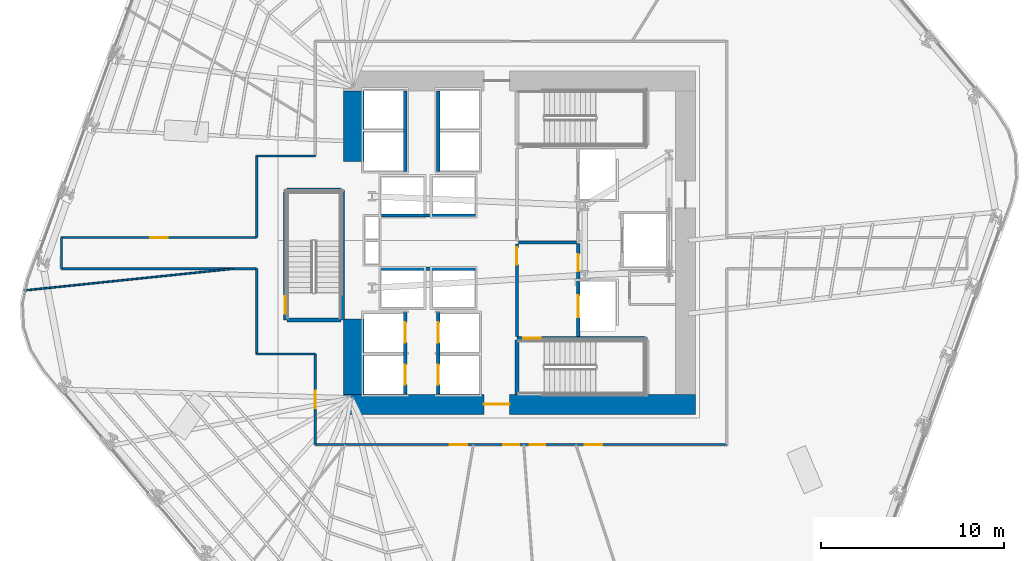
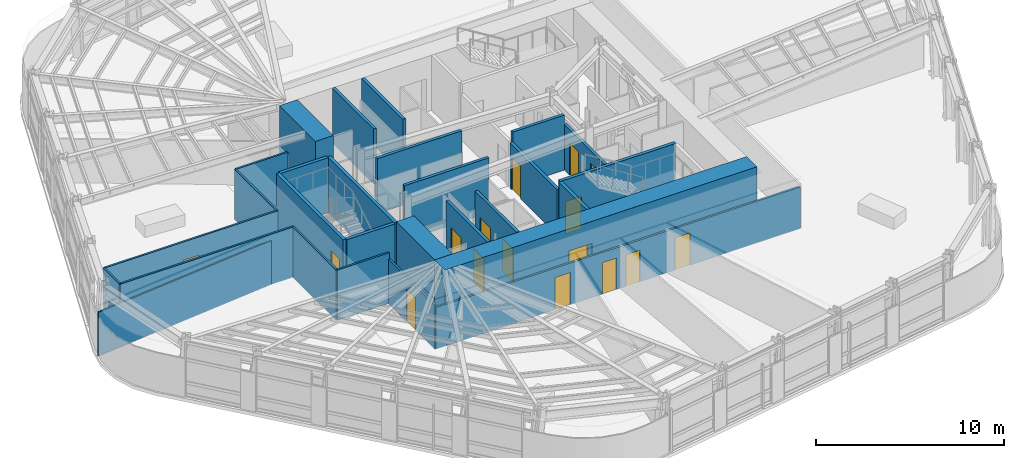
# One storey, part 8 of 16: 28 walls, 16 doors, 16 openings.
"""IFC4 building model written with IfcOpenShell, lengths in metres."""

from ifc_helpers import new_model, si_unit, direction, frame, frame_2d, origin, place, context, subcontext, project, spatial, rectangle, extrude, material, layer, layer_set, type_object, element, fill, save


model = new_model("IFC4")

# Units and contexts
model_context = context("Model", 3, precision=1e-05, world=origin(), true_north=direction((0.0, 1.0)))
body_context = subcontext(model_context, "Body", "Model", "MODEL_VIEW")
ifc_project = project(units=[si_unit("LENGTHUNIT", "METRE"), si_unit("AREAUNIT", "SQUARE_METRE"), si_unit("VOLUMEUNIT", "CUBIC_METRE"), si_unit("PLANEANGLEUNIT", "RADIAN"), si_unit("MASSUNIT", "GRAM", prefix="KILO")], contexts=[model_context])

# Site, building, storey
site_placement = place(None, origin())
site = spatial("IfcSite", under=ifc_project, at=site_placement, CompositionType="ELEMENT")
building_placement = place(site_placement, origin())
building = spatial("IfcBuilding", under=site, at=building_placement, Name="Valkerne Bourse Tower", CompositionType="ELEMENT")
storey_placement = place(building_placement, frame((0.0, 0.0, 65.800048828125)))
storey = spatial("IfcBuildingStorey", under=building, at=storey_placement, Name="L16", CompositionType="ELEMENT", Elevation=65.800048828125)

# Wall, opening, door
ifc_material_1 = material(Name="Concrete C70/85", Category="concrete")
ifc_layer_1 = layer(ifc_material_1, 1.10009765625)
ifc_layer_set_1 = layer_set([ifc_layer_1], Name="Concrete C70/85")
wall_type_1 = type_object("IfcWallType", Name="W-CORE-1100", PredefinedType="SHEAR", material=ifc_layer_set_1)
wall_1_placement = place(storey_placement, frame((37.199951171875, 18.050048828125, 0.0), z_axis=(0.0, 0.0, 1.0), x_axis=(1.0, 0.0, 0.0)))
wall_1 = element("IfcWall", 1, at=wall_1_placement, inside=storey, type_object=wall_type_1, Name="L16 Core Shear Wall SOUTH", PredefinedType="SHEAR", context=body_context, shape_type="SweptSolid", body=[
    extrude(rectangle(XDim=19.199951171875, YDim=1.10009765625, at=frame_2d((9.60009765625, 0.0))), origin(), (0.0, 0.0, 1.0), 3.579833984375),
])
opening_1_placement = place(wall_1_placement, frame((7.64990234375, 0.0, 0.0)))
opening_1 = element("IfcOpeningElement", 2, at=opening_1_placement, cuts=wall_1, Name="Opening D-PL-1400", PredefinedType="OPENING", context=body_context, shape_type="SweptSolid", body=[
    extrude(rectangle(XDim=1.39990234375, YDim=2.14990234375, at=frame_2d((0.699951171875, 1.074951171875))), frame((0.0, 0.56005859375, 0.0), z_axis=(0.0, -1.0, 0.0), x_axis=(1.0, 0.0, 0.0)), (0.0, 0.0, 1.0), 1.1201171875),
])
ifc_material_2 = material(Name="Galvanised Painted Steel", Category="steel")
door_type_1 = type_object("IfcDoorType", Name="DR-PLT-1400", OperationType="DOUBLE_DOOR_SINGLE_SWING", PredefinedType="DOOR", material=ifc_material_2)
door_1_placement = place(opening_1_placement, origin())
door_1 = element("IfcDoor", 3, at=door_1_placement, inside=storey, type_object=door_type_1, Name="L16 South Passenger Lift Hall Fire Door", OperationType="DOUBLE_DOOR_SINGLE_SWING", OverallHeight=2.14990234375, OverallWidth=1.39990234375, PredefinedType="DOOR", context=body_context, shape_type="SweptSolid", body=[
    extrude(rectangle(XDim=1.39990234375, YDim=2.14990234375, at=frame_2d((0.699951171875, 1.074951171875))), frame((0.0, 0.02490234375, 0.0), z_axis=(0.0, -1.0, 0.0), x_axis=(1.0, 0.0, 0.0)), (0.0, 0.0, 1.0), 0.050048828125),
])
fill(opening_1, door_1)

# Walls
wall_2_placement = place(storey_placement, frame((37.75, 18.60009765625, 0.0), z_axis=(0.0, 0.0, 1.0), x_axis=(0.0, 1.0, 0.0)))
element("IfcWall", 4, at=wall_2_placement, inside=storey, type_object=wall_type_1, Name="L16 Core Shear Wall WEST-S", PredefinedType="SHEAR", context=body_context, shape_type="SweptSolid", body=[
    extrude(rectangle(XDim=4.099853515625, YDim=1.10009765625, at=frame_2d((2.0498046875, 0.0))), origin(), (0.0, 0.0, 1.0), 3.579833984375),
])
wall_3_placement = place(storey_placement, frame((37.75, 31.300048828125, 0.0), z_axis=(0.0, 0.0, 1.0), x_axis=(0.0, 1.0, 0.0)))
element("IfcWall", 5, at=wall_3_placement, inside=storey, type_object=wall_type_1, Name="L16 Core Shear Wall WEST-N", PredefinedType="SHEAR", context=body_context, shape_type="SweptSolid", body=[
    extrude(rectangle(XDim=3.849853515625, YDim=1.10009765625, at=frame_2d((1.9248046875, 0.0))), origin(), (0.0, 0.0, 1.0), 3.579833984375),
])

# Wall, openings, doors
ifc_material_3 = material(Name="Gypsum Board Steel-Stud Partition", Category="steel")
ifc_layer_2 = layer(ifc_material_3, 0.117919921875)
ifc_layer_set_2 = layer_set([ifc_layer_2], Name="Gypsum Board Steel-Stud Partition")
wall_type_2 = type_object("IfcWallType", Name="W-CORR-140", PredefinedType="PARTITIONING", material=ifc_layer_set_2)
wall_4_placement = place(storey_placement, frame((58.10009765625, 15.85009765625, 0.0), z_axis=(0.0, 0.0, 1.0), x_axis=(-1.0, 0.0, 0.0)))
wall_4 = element("IfcWall", 6, at=wall_4_placement, inside=storey, type_object=wall_type_2, Name="L16 Corridor Enclosure Wall", PredefinedType="PARTITIONING", context=body_context, shape_type="SweptSolid", body=[
    extrude(rectangle(XDim=22.4501953125, YDim=0.117919921875, at=frame_2d((11.22509765625, 0.0))), origin(), (0.0, 0.0, 1.0), 2.71142578125),
])
opening_2_placement = place(wall_4_placement, frame((9.89501953125, 0.0, 0.0)))
opening_2 = element("IfcOpeningElement", 7, at=opening_2_placement, cuts=wall_4, Name="Opening D-WC-900", PredefinedType="OPENING", context=body_context, shape_type="SweptSolid", body=[
    extrude(rectangle(XDim=0.860107421875, YDim=2.050048828125, at=frame_2d((0.43017578125, 1.02490234375))), frame((0.0, 0.06884765625, 0.0), z_axis=(0.0, -1.0, 0.0), x_axis=(1.0, 0.0, 0.0)), (0.0, 0.0, 1.0), 0.137939453125),
])
opening_3_placement = place(wall_4_placement, frame((11.3349609375, 0.0, 0.0)))
opening_3 = element("IfcOpeningElement", 8, at=opening_3_placement, cuts=wall_4, Name="Opening D-WC-900", PredefinedType="OPENING", context=body_context, shape_type="SweptSolid", body=[
    extrude(rectangle(XDim=0.860107421875, YDim=2.050048828125, at=frame_2d((0.43017578125, 1.02490234375))), frame((0.0, 0.06884765625, 0.0), z_axis=(0.0, -1.0, 0.0), x_axis=(1.0, 0.0, 0.0)), (0.0, 0.0, 1.0), 0.137939453125),
])
opening_4_placement = place(wall_4_placement, frame((14.169921875, 0.0, 0.0)))
opening_4 = element("IfcOpeningElement", 9, at=opening_4_placement, cuts=wall_4, Name="Opening D-OF-950", PredefinedType="OPENING", context=body_context, shape_type="SweptSolid", body=[
    extrude(rectangle(XDim=0.949951171875, YDim=2.10009765625, at=frame_2d((0.47509765625, 1.050048828125))), frame((0.0, 0.06884765625, 0.0), z_axis=(0.0, -1.0, 0.0), x_axis=(1.0, 0.0, 0.0)), (0.0, 0.0, 1.0), 0.137939453125),
])
opening_5_placement = place(wall_4_placement, frame((6.7900390625, 0.0, 0.0)))
opening_5 = element("IfcOpeningElement", 10, at=opening_5_placement, cuts=wall_4, Name="Opening D-OF-950", PredefinedType="OPENING", context=body_context, shape_type="SweptSolid", body=[
    extrude(rectangle(XDim=0.949951171875, YDim=2.10009765625, at=frame_2d((0.47509765625, 1.050048828125))), frame((0.0, 0.06884765625, 0.0), z_axis=(0.0, -1.0, 0.0), x_axis=(1.0, 0.0, 0.0)), (0.0, 0.0, 1.0), 0.137939453125),
])
ifc_material_4 = material(Name="Architectural White Oak Timber", Category="wood")
door_type_2 = type_object("IfcDoorType", Name="DR-OFF-950", OperationType="NOTDEFINED", PredefinedType="DOOR", material=ifc_material_4)
door_2_placement = place(opening_4_placement, origin())
door_2 = element("IfcDoor", 11, at=door_2_placement, inside=storey, type_object=door_type_2, Name="L16 L16 Commodities Market Showroom 4 Door", OperationType="SINGLE_SWING_LEFT", OverallHeight=2.10009765625, OverallWidth=0.949951171875, PredefinedType="DOOR", context=body_context, shape_type="SweptSolid", body=[
    extrude(rectangle(XDim=0.949951171875, YDim=2.10009765625, at=frame_2d((0.47509765625, 1.050048828125))), frame((0.0, 0.02490234375, 0.0), z_axis=(0.0, -1.0, 0.0), x_axis=(1.0, 0.0, 0.0)), (0.0, 0.0, 1.0), 0.050048828125),
])
fill(opening_4, door_2)
door_3_placement = place(opening_5_placement, origin())
door_3 = element("IfcDoor", 12, at=door_3_placement, inside=storey, type_object=door_type_2, Name="L16 L16 Member Collaboration Club Salon 7 Door", OperationType="SINGLE_SWING_LEFT", OverallHeight=2.10009765625, OverallWidth=0.949951171875, PredefinedType="DOOR", context=body_context, shape_type="SweptSolid", body=[
    extrude(rectangle(XDim=0.949951171875, YDim=2.10009765625, at=frame_2d((0.47509765625, 1.050048828125))), frame((0.0, 0.02490234375, 0.0), z_axis=(0.0, -1.0, 0.0), x_axis=(1.0, 0.0, 0.0)), (0.0, 0.0, 1.0), 0.050048828125),
])
fill(opening_5, door_3)
door_type_3 = type_object("IfcDoorType", Name="DR-WC-900", OperationType="NOTDEFINED", PredefinedType="DOOR", material=ifc_material_4)
door_4_placement = place(opening_2_placement, origin())
door_4 = element("IfcDoor", 13, at=door_4_placement, inside=storey, type_object=door_type_3, Name="L16 L16 Men Bathroom WC 1 Door", OperationType="SINGLE_SWING_RIGHT", OverallHeight=2.050048828125, OverallWidth=0.860107421875, PredefinedType="DOOR", context=body_context, shape_type="SweptSolid", body=[
    extrude(rectangle(XDim=0.860107421875, YDim=2.050048828125, at=frame_2d((0.43017578125, 1.02490234375))), frame((0.0, 0.02490234375, 0.0), z_axis=(0.0, -1.0, 0.0), x_axis=(1.0, 0.0, 0.0)), (0.0, 0.0, 1.0), 0.050048828125),
])
fill(opening_2, door_4)
door_5_placement = place(opening_3_placement, origin())
door_5 = element("IfcDoor", 14, at=door_5_placement, inside=storey, type_object=door_type_3, Name="L16 L16 Women Restroom & Shower WC 2 Door", OperationType="SINGLE_SWING_LEFT", OverallHeight=2.050048828125, OverallWidth=0.860107421875, PredefinedType="DOOR", context=body_context, shape_type="SweptSolid", body=[
    extrude(rectangle(XDim=0.860107421875, YDim=2.050048828125, at=frame_2d((0.43017578125, 1.02490234375))), frame((0.0, 0.02490234375, 0.0), z_axis=(0.0, -1.0, 0.0), x_axis=(1.0, 0.0, 0.0)), (0.0, 0.0, 1.0), 0.050048828125),
])
fill(opening_3, door_5)

# Wall, opening, door
wall_5_placement = place(storey_placement, frame((35.64990234375, 15.85009765625, 0.0), z_axis=(0.0, 0.0, 1.0), x_axis=(0.0, 1.0, 0.0)))
wall_5 = element("IfcWall", 15, at=wall_5_placement, inside=storey, type_object=wall_type_2, Name="L16 Corridor Enclosure Wall", PredefinedType="PARTITIONING", context=body_context, shape_type="SweptSolid", body=[
    extrude(rectangle(XDim=4.949951171875, YDim=0.117919921875, at=frame_2d((2.47509765625, 0.0))), origin(), (0.0, 0.0, 1.0), 2.87646484375),
])
opening_6_placement = place(wall_5_placement, frame((2.0, 0.0, 0.0)))
opening_6 = element("IfcOpeningElement", 16, at=opening_6_placement, cuts=wall_5, Name="Opening D-OF-950", PredefinedType="OPENING", context=body_context, shape_type="SweptSolid", body=[
    extrude(rectangle(XDim=0.949951171875, YDim=2.10009765625, at=frame_2d((0.47509765625, 1.050048828125))), frame((0.0, 0.06884765625, 0.0), z_axis=(0.0, -1.0, 0.0), x_axis=(1.0, 0.0, 0.0)), (0.0, 0.0, 1.0), 0.137939453125),
])
door_6_placement = place(opening_6_placement, origin())
door_6 = element("IfcDoor", 17, at=door_6_placement, inside=storey, type_object=door_type_2, Name="L16 L16 VIP Client Concierge Reception 5 Door", OperationType="SINGLE_SWING_LEFT", OverallHeight=2.10009765625, OverallWidth=0.949951171875, PredefinedType="DOOR", context=body_context, shape_type="SweptSolid", body=[
    extrude(rectangle(XDim=0.949951171875, YDim=2.10009765625, at=frame_2d((0.47509765625, 1.050048828125))), frame((0.0, 0.02490234375, 0.0), z_axis=(0.0, -1.0, 0.0), x_axis=(1.0, 0.0, 0.0)), (0.0, 0.0, 1.0), 0.050048828125),
])
fill(opening_6, door_6)

# Walls
wall_6_placement = place(storey_placement, frame((35.64990234375, 20.800048828125, 0.0), z_axis=(0.0, 0.0, 1.0), x_axis=(-1.0, 0.0, 0.0)))
element("IfcWall", 18, at=wall_6_placement, inside=storey, type_object=wall_type_2, Name="L16 Corridor Enclosure Wall", PredefinedType="PARTITIONING", context=body_context, shape_type="SweptSolid", body=[
    extrude(rectangle(XDim=3.199951171875, YDim=0.117919921875, at=frame_2d((1.60009765625, 0.0))), origin(), (0.0, 0.0, 1.0), 3.280029296875),
])
wall_7_placement = place(storey_placement, frame((32.449951171875, 20.800048828125, 0.0), z_axis=(0.0, 0.0, 1.0), x_axis=(0.0, 1.0, 0.0)))
element("IfcWall", 19, at=wall_7_placement, inside=storey, type_object=wall_type_2, Name="L16 Corridor Enclosure Wall", PredefinedType="PARTITIONING", context=body_context, shape_type="SweptSolid", body=[
    extrude(rectangle(XDim=4.64990234375, YDim=0.117919921875, at=frame_2d((2.324951171875, 0.0))), origin(), (0.0, 0.0, 1.0), 3.280029296875),
])
wall_8_placement = place(storey_placement, frame((32.449951171875, 25.449951171875, 0.0), z_axis=(0.0, 0.0, 1.0), x_axis=(-1.0, 0.0, 0.0)))
element("IfcWall", 20, at=wall_8_placement, inside=storey, type_object=wall_type_2, Name="L16 Corridor Enclosure Wall", PredefinedType="PARTITIONING", context=body_context, shape_type="SweptSolid", body=[
    extrude(rectangle(XDim=10.64990234375, YDim=0.117919921875, at=frame_2d((5.324951171875, 0.0))), origin(), (0.0, 0.0, 1.0), 3.280029296875),
])
wall_9_placement = place(storey_placement, frame((21.800048828125, 25.449951171875, 0.0), z_axis=(0.0, 0.0, 1.0), x_axis=(0.0, 1.0, 0.0)))
element("IfcWall", 21, at=wall_9_placement, inside=storey, type_object=wall_type_2, Name="L16 Corridor Enclosure Wall", PredefinedType="PARTITIONING", context=body_context, shape_type="SweptSolid", body=[
    extrude(rectangle(XDim=1.699951171875, YDim=0.117919921875, at=frame_2d((0.85009765625, 0.0))), origin(), (0.0, 0.0, 1.0), 3.280029296875),
])

# Wall, opening, door
wall_10_placement = place(storey_placement, frame((21.800048828125, 27.14990234375, 0.0), z_axis=(0.0, 0.0, 1.0), x_axis=(1.0, 0.0, 0.0)))
wall_10 = element("IfcWall", 22, at=wall_10_placement, inside=storey, type_object=wall_type_2, Name="L16 Corridor Enclosure Wall", PredefinedType="PARTITIONING", context=body_context, shape_type="SweptSolid", body=[
    extrude(rectangle(XDim=10.64990234375, YDim=0.117919921875, at=frame_2d((5.324951171875, 0.0))), origin(), (0.0, 0.0, 1.0), 3.280029296875),
])
opening_7_placement = place(wall_10_placement, frame((4.85009765625, 0.0, 0.0)))
opening_7 = element("IfcOpeningElement", 23, at=opening_7_placement, cuts=wall_10, Name="Opening D-OF-950", PredefinedType="OPENING", context=body_context, shape_type="SweptSolid", body=[
    extrude(rectangle(XDim=0.949951171875, YDim=2.10009765625, at=frame_2d((0.47509765625, 1.050048828125))), frame((0.0, 0.06884765625, 0.0), z_axis=(0.0, -1.0, 0.0), x_axis=(1.0, 0.0, 0.0)), (0.0, 0.0, 1.0), 0.137939453125),
])
door_7_placement = place(opening_7_placement, origin())
door_7 = element("IfcDoor", 24, at=door_7_placement, inside=storey, type_object=door_type_2, Name="L16 L16 Commodities Market Showroom 3 Door", OperationType="SINGLE_SWING_LEFT", OverallHeight=2.10009765625, OverallWidth=0.949951171875, PredefinedType="DOOR", context=body_context, shape_type="SweptSolid", body=[
    extrude(rectangle(XDim=0.949951171875, YDim=2.10009765625, at=frame_2d((0.47509765625, 1.050048828125))), frame((0.0, 0.02490234375, 0.0), z_axis=(0.0, -1.0, 0.0), x_axis=(1.0, 0.0, 0.0)), (0.0, 0.0, 1.0), 0.050048828125),
])
fill(opening_7, door_7)

# Walls
wall_11_placement = place(storey_placement, frame((32.449951171875, 27.14990234375, 0.0), z_axis=(0.0, 0.0, 1.0), x_axis=(0.0, 1.0, 0.0)))
element("IfcWall", 25, at=wall_11_placement, inside=storey, type_object=wall_type_2, Name="L16 Corridor Enclosure Wall", PredefinedType="PARTITIONING", context=body_context, shape_type="SweptSolid", body=[
    extrude(rectangle(XDim=4.4501953125, YDim=0.117919921875, at=frame_2d((2.22509765625, 0.0))), origin(), (0.0, 0.0, 1.0), 3.280029296875),
])
wall_12_placement = place(storey_placement, frame((32.449951171875, 31.60009765625, 0.0), z_axis=(0.0, 0.0, 1.0), x_axis=(1.0, 0.0, 0.0)))
element("IfcWall", 26, at=wall_12_placement, inside=storey, type_object=wall_type_2, Name="L16 Corridor Enclosure Wall", PredefinedType="PARTITIONING", context=body_context, shape_type="SweptSolid", body=[
    extrude(rectangle(XDim=3.199951171875, YDim=0.117919921875, at=frame_2d((1.60009765625, 0.0))), origin(), (0.0, 0.0, 1.0), 3.280029296875),
])
ifc_material_5 = material(Name="Gypsum Fire-Rated Shaftwall", Category="gypsum")
ifc_layer_3 = layer(ifc_material_5, 0.179931640625)
ifc_layer_set_3 = layer_set([ifc_layer_3], Name="Gypsum Fire-Rated Shaftwall")
wall_type_3 = type_object("IfcWallType", Name="W-FSAE-180", PredefinedType="PARTITIONING", material=ifc_layer_set_3)
wall_13_placement = place(storey_placement, frame((46.739990234375, 26.8798828125, 0.0), z_axis=(0.0, 0.0, 1.0), x_axis=(1.0, 0.0, 0.0)))
element("IfcWall", 27, at=wall_13_placement, inside=storey, type_object=wall_type_3, Name="L16 FSAE-1/2 Lobby Dividing Fire Wall", PredefinedType="PARTITIONING", context=body_context, shape_type="SweptSolid", body=[
    extrude(rectangle(XDim=3.169921875, YDim=0.179931640625, at=frame_2d((1.5849609375, 0.0))), origin(), (0.0, 0.0, 1.0), 3.579833984375),
])

# Wall, opening, door
wall_14_placement = place(storey_placement, frame((46.64990234375, 21.75, 0.0), z_axis=(0.0, 0.0, 1.0), x_axis=(0.0, 1.0, 0.0)))
wall_14 = element("IfcWall", 28, at=wall_14_placement, inside=storey, type_object=wall_type_3, Name="L16 FSAE-1 Lobby West Fire Wall", PredefinedType="PARTITIONING", context=body_context, shape_type="SweptSolid", body=[
    extrude(rectangle(XDim=5.050048828125, YDim=0.179931640625, at=frame_2d((2.52490234375, 0.0))), origin(), (0.0, 0.0, 1.0), 2.957763671875),
])
opening_8_placement = place(wall_14_placement, frame((3.919921875, 0.0, 0.0)))
opening_8 = element("IfcOpeningElement", 29, at=opening_8_placement, cuts=wall_14, Name="Opening D-FS-950", PredefinedType="OPENING", context=body_context, shape_type="SweptSolid", body=[
    extrude(rectangle(XDim=0.949951171875, YDim=2.10009765625, at=frame_2d((0.47509765625, 1.050048828125))), frame((0.0, 0.099853515625, 0.0), z_axis=(0.0, -1.0, 0.0), x_axis=(1.0, 0.0, 0.0)), (0.0, 0.0, 1.0), 0.199951171875),
])
door_type_4 = type_object("IfcDoorType", Name="DR-FSAE-950", OperationType="NOTDEFINED", PredefinedType="DOOR", material=ifc_material_2)
door_8_placement = place(opening_8_placement, origin())
door_8 = element("IfcDoor", 30, at=door_8_placement, inside=storey, type_object=door_type_4, Name="L16 FSAE-1 Hall Link Fire Door", OperationType="SINGLE_SWING_RIGHT", OverallHeight=2.10009765625, OverallWidth=0.949951171875, PredefinedType="DOOR", context=body_context, shape_type="SweptSolid", body=[
    extrude(rectangle(XDim=0.949951171875, YDim=2.10009765625, at=frame_2d((0.47509765625, 1.050048828125))), frame((0.0, 0.02490234375, 0.0), z_axis=(0.0, -1.0, 0.0), x_axis=(1.0, 0.0, 0.0)), (0.0, 0.0, 1.0), 0.050048828125),
])
fill(opening_8, door_8)

# Wall, openings, doors
wall_15_placement = place(storey_placement, frame((50.0, 21.75, 0.0), z_axis=(0.0, 0.0, 1.0), x_axis=(0.0, 1.0, 0.0)))
wall_15 = element("IfcWall", 31, at=wall_15_placement, inside=storey, type_object=wall_type_3, Name="L16 FSAE-1 Lobby & Shaft Front Wall", PredefinedType="PARTITIONING", context=body_context, shape_type="SweptSolid", body=[
    extrude(rectangle(XDim=5.090087890625, YDim=0.179931640625, at=frame_2d((2.544921875, 0.0))), origin(), (0.0, 0.0, 1.0), 2.957763671875),
])
opening_9_placement = place(wall_15_placement, frame((1.050048828125, 0.0, 0.0)))
opening_9 = element("IfcOpeningElement", 32, at=opening_9_placement, cuts=wall_15, Name="Opening LD-1200", PredefinedType="OPENING", context=body_context, shape_type="SweptSolid", body=[
    extrude(rectangle(XDim=1.199951171875, YDim=2.14990234375, at=frame_2d((0.60009765625, 1.074951171875))), frame((0.0, 0.099853515625, 0.0), z_axis=(0.0, -1.0, 0.0), x_axis=(1.0, 0.0, 0.0)), (0.0, 0.0, 1.0), 0.199951171875),
])
opening_10_placement = place(wall_15_placement, frame((3.550048828125, 0.0, 0.0)))
opening_10 = element("IfcOpeningElement", 33, at=opening_10_placement, cuts=wall_15, Name="Opening D-FS-950", PredefinedType="OPENING", context=body_context, shape_type="SweptSolid", body=[
    extrude(rectangle(XDim=0.949951171875, YDim=2.10009765625, at=frame_2d((0.47509765625, 1.050048828125))), frame((0.0, 0.099853515625, 0.0), z_axis=(0.0, -1.0, 0.0), x_axis=(1.0, 0.0, 0.0)), (0.0, 0.0, 1.0), 0.199951171875),
])
door_9_placement = place(opening_10_placement, origin())
door_9 = element("IfcDoor", 34, at=door_9_placement, inside=storey, type_object=door_type_4, Name="L16 FSAE-1 Lobby Corridor Fire Door", OperationType="SINGLE_SWING_RIGHT", OverallHeight=2.10009765625, OverallWidth=0.949951171875, PredefinedType="DOOR", context=body_context, shape_type="SweptSolid", body=[
    extrude(rectangle(XDim=0.949951171875, YDim=2.10009765625, at=frame_2d((0.47509765625, 1.050048828125))), frame((0.0, 0.02490234375, 0.0), z_axis=(0.0, -1.0, 0.0), x_axis=(1.0, 0.0, 0.0)), (0.0, 0.0, 1.0), 0.050048828125),
])
fill(opening_10, door_9)
ifc_material_6 = material(Name="Stainless Steel AISI 316", Category="steel")
door_type_5 = type_object("IfcDoorType", Name="DR-LIFT-1200", OperationType="DOUBLE_DOOR_SLIDING", PredefinedType="DOOR", material=ifc_material_6)
door_10_placement = place(opening_9_placement, origin())
door_10 = element("IfcDoor", 35, at=door_10_placement, inside=storey, type_object=door_type_5, Name="L16 FSAE-1 Firefighting Lift Landing Door", OperationType="DOUBLE_DOOR_SLIDING", OverallHeight=2.14990234375, OverallWidth=1.199951171875, PredefinedType="DOOR", context=body_context, shape_type="SweptSolid", body=[
    extrude(rectangle(XDim=1.199951171875, YDim=2.14990234375, at=frame_2d((0.60009765625, 1.074951171875))), frame((0.0, 0.02490234375, 0.0), z_axis=(0.0, -1.0, 0.0), x_axis=(1.0, 0.0, 0.0)), (0.0, 0.0, 1.0), 0.050048828125),
])
fill(opening_9, door_10)

ifc_material_7 = material(Name="CMU Blockwork Masonry 200mm", Category="masonry")
ifc_layer_4 = layer(ifc_material_7, 0.179931640625)
ifc_layer_set_4 = layer_set([ifc_layer_4], Name="CMU Blockwork Masonry 200mm")
wall_type_4 = type_object("IfcWallType", Name="W-LFT-180", PredefinedType="SOLIDWALL", material=ifc_layer_set_4)
wall_16_placement = place(storey_placement, frame((40.550048828125, 18.6201171875, 0.0), z_axis=(0.0, 0.0, 1.0), x_axis=(0.0, 1.0, 0.0)))
wall_16 = element("IfcWall", 36, at=wall_16_placement, inside=storey, type_object=wall_type_4, Name="L16 Low-Zone West Cars Front Wall", PredefinedType="SOLIDWALL", context=body_context, shape_type="SweptSolid", body=[
    extrude(rectangle(XDim=4.429931640625, YDim=0.179931640625, at=frame_2d((2.21484375, 0.0))), origin(), (0.0, 0.0, 1.0), 3.579833984375),
])
opening_11_placement = place(wall_16_placement, frame((0.5, 0.0, 0.0)))
opening_11 = element("IfcOpeningElement", 37, at=opening_11_placement, cuts=wall_16, Name="Opening LD-1100", PredefinedType="OPENING", context=body_context, shape_type="SweptSolid", body=[
    extrude(rectangle(XDim=1.10009765625, YDim=2.14990234375, at=frame_2d((0.550048828125, 1.074951171875))), frame((0.0, 0.099853515625, 0.0), z_axis=(0.0, -1.0, 0.0), x_axis=(1.0, 0.0, 0.0)), (0.0, 0.0, 1.0), 0.199951171875),
])
opening_12_placement = place(wall_16_placement, frame((2.800048828125, 0.0, 0.0)))
opening_12 = element("IfcOpeningElement", 38, at=opening_12_placement, cuts=wall_16, Name="Opening LD-1100", PredefinedType="OPENING", context=body_context, shape_type="SweptSolid", body=[
    extrude(rectangle(XDim=1.10009765625, YDim=2.14990234375, at=frame_2d((0.550048828125, 1.074951171875))), frame((0.0, 0.099853515625, 0.0), z_axis=(0.0, -1.0, 0.0), x_axis=(1.0, 0.0, 0.0)), (0.0, 0.0, 1.0), 0.199951171875),
])
door_type_6 = type_object("IfcDoorType", Name="DR-LIFT-1100", OperationType="DOUBLE_DOOR_SLIDING", PredefinedType="DOOR", material=ifc_material_6)
door_11_placement = place(opening_11_placement, origin())
door_11 = element("IfcDoor", 39, at=door_11_placement, inside=storey, type_object=door_type_6, Name="L16 Passenger Lift PL-L1 Sliding Landing Door", OperationType="DOUBLE_DOOR_SLIDING", OverallHeight=2.14990234375, OverallWidth=1.10009765625, PredefinedType="DOOR", context=body_context, shape_type="SweptSolid", body=[
    extrude(rectangle(XDim=1.10009765625, YDim=2.14990234375, at=frame_2d((0.550048828125, 1.074951171875))), frame((0.0, 0.02490234375, 0.0), z_axis=(0.0, -1.0, 0.0), x_axis=(1.0, 0.0, 0.0)), (0.0, 0.0, 1.0), 0.050048828125),
])
fill(opening_11, door_11)
door_12_placement = place(opening_12_placement, origin())
door_12 = element("IfcDoor", 40, at=door_12_placement, inside=storey, type_object=door_type_6, Name="L16 Passenger Lift PL-L2 Sliding Landing Door", OperationType="DOUBLE_DOOR_SLIDING", OverallHeight=2.14990234375, OverallWidth=1.10009765625, PredefinedType="DOOR", context=body_context, shape_type="SweptSolid", body=[
    extrude(rectangle(XDim=1.10009765625, YDim=2.14990234375, at=frame_2d((0.550048828125, 1.074951171875))), frame((0.0, 0.02490234375, 0.0), z_axis=(0.0, -1.0, 0.0), x_axis=(1.0, 0.0, 0.0)), (0.0, 0.0, 1.0), 0.050048828125),
])
fill(opening_12, door_12)

wall_17_placement = place(storey_placement, frame((42.35009765625, 18.6201171875, 0.0), z_axis=(0.0, 0.0, 1.0), x_axis=(0.0, 1.0, 0.0)))
wall_17 = element("IfcWall", 41, at=wall_17_placement, inside=storey, type_object=wall_type_4, Name="L16 Low-Zone East Cars Front Wall", PredefinedType="SOLIDWALL", context=body_context, shape_type="SweptSolid", body=[
    extrude(rectangle(XDim=4.429931640625, YDim=0.179931640625, at=frame_2d((2.21484375, 0.0))), origin(), (0.0, 0.0, 1.0), 3.579833984375),
])
opening_13_placement = place(wall_17_placement, frame((0.5, 0.0, 0.0)))
opening_13 = element("IfcOpeningElement", 42, at=opening_13_placement, cuts=wall_17, Name="Opening LD-1100", PredefinedType="OPENING", context=body_context, shape_type="SweptSolid", body=[
    extrude(rectangle(XDim=1.10009765625, YDim=2.14990234375, at=frame_2d((0.550048828125, 1.074951171875))), frame((0.0, 0.099853515625, 0.0), z_axis=(0.0, -1.0, 0.0), x_axis=(1.0, 0.0, 0.0)), (0.0, 0.0, 1.0), 0.199951171875),
])
opening_14_placement = place(wall_17_placement, frame((2.800048828125, 0.0, 0.0)))
opening_14 = element("IfcOpeningElement", 43, at=opening_14_placement, cuts=wall_17, Name="Opening LD-1100", PredefinedType="OPENING", context=body_context, shape_type="SweptSolid", body=[
    extrude(rectangle(XDim=1.10009765625, YDim=2.14990234375, at=frame_2d((0.550048828125, 1.074951171875))), frame((0.0, 0.099853515625, 0.0), z_axis=(0.0, -1.0, 0.0), x_axis=(1.0, 0.0, 0.0)), (0.0, 0.0, 1.0), 0.199951171875),
])
door_13_placement = place(opening_13_placement, origin())
door_13 = element("IfcDoor", 44, at=door_13_placement, inside=storey, type_object=door_type_6, Name="L16 Passenger Lift PL-L3 Sliding Landing Door", OperationType="DOUBLE_DOOR_SLIDING", OverallHeight=2.14990234375, OverallWidth=1.10009765625, PredefinedType="DOOR", context=body_context, shape_type="SweptSolid", body=[
    extrude(rectangle(XDim=1.10009765625, YDim=2.14990234375, at=frame_2d((0.550048828125, 1.074951171875))), frame((0.0, 0.02490234375, 0.0), z_axis=(0.0, -1.0, 0.0), x_axis=(1.0, 0.0, 0.0)), (0.0, 0.0, 1.0), 0.050048828125),
])
fill(opening_13, door_13)
door_14_placement = place(opening_14_placement, origin())
door_14 = element("IfcDoor", 45, at=door_14_placement, inside=storey, type_object=door_type_6, Name="L16 Passenger Lift PL-L4 Sliding Landing Door", OperationType="DOUBLE_DOOR_SLIDING", OverallHeight=2.14990234375, OverallWidth=1.10009765625, PredefinedType="DOOR", context=body_context, shape_type="SweptSolid", body=[
    extrude(rectangle(XDim=1.10009765625, YDim=2.14990234375, at=frame_2d((0.550048828125, 1.074951171875))), frame((0.0, 0.02490234375, 0.0), z_axis=(0.0, -1.0, 0.0), x_axis=(1.0, 0.0, 0.0)), (0.0, 0.0, 1.0), 0.050048828125),
])
fill(opening_14, door_14)

# Walls
for number, where, z_axis, x_axis, name in (
    (46, (40.550048828125, 30.75, 0.0), (0.0, 0.0, 1.0), (0.0, 1.0, 0.0), "L16 Mid-Zone West Cars Front Wall"),
    (47, (42.35009765625, 30.75, 0.0), (0.0, 0.0, 1.0), (0.0, 1.0, 0.0), "L16 Mid-Zone East Cars Front Wall"),
):
    element("IfcWall", number, at=place(storey_placement, frame(where, z_axis=z_axis, x_axis=x_axis)), inside=storey, type_object=wall_type_4, Name=name, PredefinedType="SOLIDWALL", context=body_context, shape_type="SweptSolid", body=[
        extrude(rectangle(XDim=4.39990234375, YDim=0.179931640625, at=frame_2d((2.199951171875, 0.0))), origin(), (0.0, 0.0, 1.0), 3.579833984375),
    ])
for number, where, z_axis, x_axis, name in (
    (48, (39.25, 25.449951171875, 0.0), (0.0, 0.0, 1.0), (1.0, 0.0, 0.0), "L16 High-Zone South Cars Front Wall"),
    (49, (39.25, 28.35009765625, 0.0), (0.0, 0.0, 1.0), (1.0, 0.0, 0.0), "L16 High-Zone North Cars Front Wall"),
):
    element("IfcWall", number, at=place(storey_placement, frame(where, z_axis=z_axis, x_axis=x_axis)), inside=storey, type_object=wall_type_4, Name=name, PredefinedType="SOLIDWALL", context=body_context, shape_type="SweptSolid", body=[
        extrude(rectangle(XDim=5.199951171875, YDim=0.179931640625, at=frame_2d((2.60009765625, 0.0))), origin(), (0.0, 0.0, 1.0), 3.579833984375),
    ])
ifc_layer_5 = layer(ifc_material_3, 0.092041015625)
ifc_layer_set_5 = layer_set([ifc_layer_5], Name="Gypsum Board Steel-Stud Partition")
wall_type_5 = type_object("IfcWallType", Name="W-PART-115", PredefinedType="PARTITIONING", material=ifc_layer_set_5)
wall_18_placement = place(storey_placement, frame((31.168701171875, 25.445068359375, 0.0), z_axis=(0.0, 0.0, 1.0), x_axis=(-0.994691193117, -0.102904957782, 0.0)))
element("IfcWall", 50, at=wall_18_placement, inside=storey, type_object=wall_type_5, Name="L16 Suite Partition P06", PredefinedType="PARTITIONING", context=body_context, shape_type="SweptSolid", body=[
    extrude(rectangle(XDim=11.475830078125, YDim=0.092041015625, at=frame_2d((5.73779296875, 0.0))), origin(), (0.0, 0.0, 1.0), 2.86376953125),
])

# Wall, opening, door
ifc_material_8 = material(Name="Concrete C40/50", Category="concrete")
ifc_layer_6 = layer(ifc_material_8, 0.199951171875)
ifc_layer_set_6 = layer_set([ifc_layer_6], Name="Concrete C40/50")
wall_type_6 = type_object("IfcWallType", Name="W-SHF-200", PredefinedType="SHEAR", material=ifc_layer_set_6)
wall_19_placement = place(storey_placement, frame((46.64990234375, 21.64990234375, 0.0), z_axis=(0.0, 0.0, 1.0), x_axis=(1.0, 0.0, 0.0)))
wall_19 = element("IfcWall", 51, at=wall_19_placement, inside=storey, type_object=wall_type_6, Name="L16 Exit Stair ST-1 Structural Shaft Wall North", PredefinedType="SHEAR", context=body_context, shape_type="SweptSolid", body=[
    extrude(rectangle(XDim=7.10009765625, YDim=0.199951171875, at=frame_2d((3.550048828125, 0.0))), origin(), (0.0, 0.0, 1.0), 3.579833984375),
])
opening_15_placement = place(wall_19_placement, frame((0.35009765625, 0.0, 0.0)))
opening_15 = element("IfcOpeningElement", 52, at=opening_15_placement, cuts=wall_19, Name="Opening D-ST-950", PredefinedType="OPENING", context=body_context, shape_type="SweptSolid", body=[
    extrude(rectangle(XDim=0.949951171875, YDim=2.10009765625, at=frame_2d((0.47509765625, 1.050048828125))), frame((0.0, 0.10986328125, 0.0), z_axis=(0.0, -1.0, 0.0), x_axis=(1.0, 0.0, 0.0)), (0.0, 0.0, 1.0), 0.219970703125),
])
door_type_7 = type_object("IfcDoorType", Name="DR-STAIR-950", OperationType="NOTDEFINED", PredefinedType="DOOR", material=ifc_material_2)
door_15_placement = place(opening_15_placement, origin())
door_15 = element("IfcDoor", 53, at=door_15_placement, inside=storey, type_object=door_type_7, Name="L16 Exit Stair ST-1 Door", OperationType="SINGLE_SWING_LEFT", OverallHeight=2.10009765625, OverallWidth=0.949951171875, PredefinedType="DOOR", context=body_context, shape_type="SweptSolid", body=[
    extrude(rectangle(XDim=0.949951171875, YDim=2.10009765625, at=frame_2d((0.47509765625, 1.050048828125))), frame((0.0, 0.02490234375, 0.0), z_axis=(0.0, -1.0, 0.0), x_axis=(1.0, 0.0, 0.0)), (0.0, 0.0, 1.0), 0.050048828125),
])
fill(opening_15, door_15)

# Wall
wall_20_placement = place(storey_placement, frame((46.64990234375, 18.60009765625, 0.0), z_axis=(0.0, 0.0, 1.0), x_axis=(0.0, 1.0, 0.0)))
element("IfcWall", 54, at=wall_20_placement, inside=storey, type_object=wall_type_6, Name="L16 Exit Stair ST-1 Structural Shaft Wall West", PredefinedType="SHEAR", context=body_context, shape_type="SweptSolid", body=[
    extrude(rectangle(XDim=2.949951171875, YDim=0.199951171875, at=frame_2d((1.47509765625, 0.0))), origin(), (0.0, 0.0, 1.0), 3.579833984375),
])

# Wall, opening, door
wall_21_placement = place(storey_placement, frame((34.0, 22.64990234375, 0.0), z_axis=(0.0, 0.0, 1.0), x_axis=(0.0, 1.0, 0.0)))
wall_21 = element("IfcWall", 55, at=wall_21_placement, inside=storey, type_object=wall_type_6, Name="L16 Exit Stair ST-3 Structural Shaft Wall West", PredefinedType="SHEAR", context=body_context, shape_type="SweptSolid", body=[
    extrude(rectangle(XDim=7.10009765625, YDim=0.199951171875, at=frame_2d((3.550048828125, 0.0))), origin(), (0.0, 0.0, 1.0), 3.579833984375),
])
opening_16_placement = place(wall_21_placement, frame((0.35009765625, 0.0, 0.0)))
opening_16 = element("IfcOpeningElement", 56, at=opening_16_placement, cuts=wall_21, Name="Opening D-ST-950", PredefinedType="OPENING", context=body_context, shape_type="SweptSolid", body=[
    extrude(rectangle(XDim=0.949951171875, YDim=2.10009765625, at=frame_2d((0.47509765625, 1.050048828125))), frame((0.0, 0.10986328125, 0.0), z_axis=(0.0, -1.0, 0.0), x_axis=(1.0, 0.0, 0.0)), (0.0, 0.0, 1.0), 0.219970703125),
])
door_16_placement = place(opening_16_placement, origin())
door_16 = element("IfcDoor", 57, at=door_16_placement, inside=storey, type_object=door_type_7, Name="L16 Exit Stair ST-3 Door", OperationType="SINGLE_SWING_RIGHT", OverallHeight=2.10009765625, OverallWidth=0.949951171875, PredefinedType="DOOR", context=body_context, shape_type="SweptSolid", body=[
    extrude(rectangle(XDim=0.949951171875, YDim=2.10009765625, at=frame_2d((0.47509765625, 1.050048828125))), frame((0.0, 0.02490234375, 0.0), z_axis=(0.0, -1.0, 0.0), x_axis=(1.0, 0.0, 0.0)), (0.0, 0.0, 1.0), 0.050048828125),
])
fill(opening_16, door_16)

# Walls
for number, where, z_axis, x_axis, name in (
    (58, (34.10009765625, 22.64990234375, 0.0), (0.0, 0.0, 1.0), (1.0, 0.0, 0.0), "L16 Exit Stair ST-3 Structural Shaft Wall South"),
    (59, (34.10009765625, 29.75, 0.0), (0.0, 0.0, 1.0), (1.0, 0.0, 0.0), "L16 Exit Stair ST-3 Structural Shaft Wall North"),
):
    element("IfcWall", number, at=place(storey_placement, frame(where, z_axis=z_axis, x_axis=x_axis)), inside=storey, type_object=wall_type_6, Name=name, PredefinedType="SHEAR", context=body_context, shape_type="SweptSolid", body=[
        extrude(rectangle(XDim=2.949951171875, YDim=0.199951171875, at=frame_2d((1.47509765625, 0.0))), origin(), (0.0, 0.0, 1.0), 3.579833984375),
    ])
wall_22_placement = place(storey_placement, frame((37.14990234375, 22.64990234375, 0.0), z_axis=(0.0, 0.0, 1.0), x_axis=(0.0, 1.0, 0.0)))
element("IfcWall", 60, at=wall_22_placement, inside=storey, type_object=wall_type_6, Name="L16 Exit Stair ST-3 Structural Shaft Wall East", PredefinedType="SHEAR", context=body_context, shape_type="SweptSolid", body=[
    extrude(rectangle(XDim=7.10009765625, YDim=0.199951171875, at=frame_2d((3.550048828125, 0.0))), origin(), (0.0, 0.0, 1.0), 3.579833984375),
])

save(model, "model.ifc")
